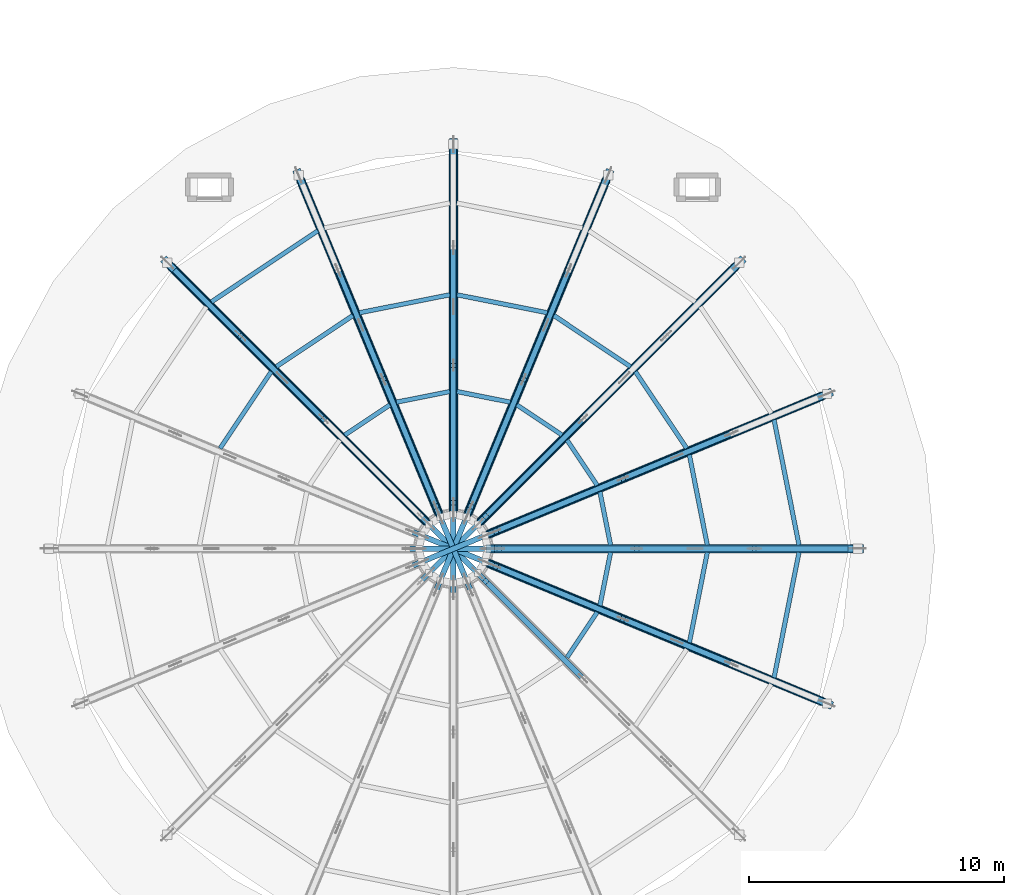
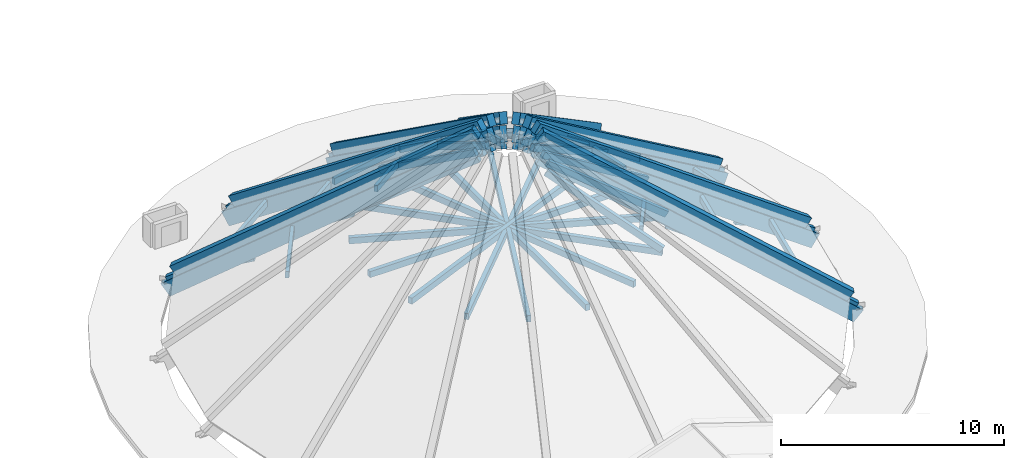
# One storey, part 11 of 58: 60 members, 8 beams.
"""IFC4 building model written with IfcOpenShell, lengths in metres."""

from ifc_helpers import new_model, si_unit, direction, frame, origin, origin_2d, place, context, subcontext, project, spatial, rectangle, extrude, material, material_profile, profile_set, type_object, element, save


model = new_model("IFC4")

# Units and contexts
model_context = context("Model", 3, precision=1e-05, world=origin(), true_north=direction((0.0, 1.0)))
body_context = subcontext(model_context, "Body", "Model", "MODEL_VIEW")
ifc_project = project(units=[si_unit("LENGTHUNIT", "METRE"), si_unit("AREAUNIT", "SQUARE_METRE"), si_unit("VOLUMEUNIT", "CUBIC_METRE"), si_unit("PLANEANGLEUNIT", "RADIAN"), si_unit("MASSUNIT", "GRAM", prefix="KILO")], contexts=[model_context])

# Site, building, storey
site_placement = place(None, origin())
site = spatial("IfcSite", under=ifc_project, at=site_placement, CompositionType="ELEMENT")
building_placement = place(site_placement, origin())
building = spatial("IfcBuilding", under=site, at=building_placement, Name="Aldenvaro Health Centre", CompositionType="ELEMENT")
storey_placement = place(building_placement, frame((0.0, 0.0, 8.75)))
storey = spatial("IfcBuildingStorey", under=building, at=storey_placement, Name="L02", CompositionType="ELEMENT", Elevation=8.75)

# Beams
ifc_material_1 = material(Name="Concrete f'c 40 MPa", Category="concrete")
ifc_material_profile_1 = material_profile(ifc_material_1, rectangle(XDim=0.35009765625, YDim=0.56005859375, at=origin_2d()), Name="RC 350x560", Category="concrete")
ifc_profile_set_1 = profile_set([ifc_material_profile_1], Name="Concrete f'c 40 MPa")
beam_type = type_object("IfcBeamType", Name="BM-RC-560E", PredefinedType="JOIST", material=ifc_profile_set_1)
beam_1_placement = place(storey_placement, frame((102.52001953125, 20.0, 1.14599609375), z_axis=(-0.812531427693, 0.0, 0.582917386094), x_axis=(0.0, -1.0, 0.0)))
element("IfcBeam", 1, at=beam_1_placement, inside=storey, type_object=beam_type, Name="Waiting Rotunda Expressed Radial Glulam Roof Rib 01", PredefinedType="JOIST", context=body_context, shape_type="SweptSolid", body=[
    extrude(rectangle(XDim=0.35009765625, YDim=0.56005859375, at=origin_2d()), origin(), (0.0, 0.0, 1.0), 17.31640625),
])
beam_2_placement = place(storey_placement, frame((101.339111328125, 25.93896484375, 1.14599609375), z_axis=(-0.750685234233, -0.310924451028, 0.582921662711), x_axis=(0.38266289091, -0.923888040793, 0.0)))
element("IfcBeam", 2, at=beam_2_placement, inside=storey, type_object=beam_type, Name="Waiting Rotunda Expressed Radial Glulam Roof Rib 02", PredefinedType="JOIST", context=body_context, shape_type="SweptSolid", body=[
    extrude(rectangle(XDim=0.35009765625, YDim=0.56005859375, at=origin_2d()), origin(), (0.0, 0.0, 1.0), 17.316162109375),
])
beam_3_placement = place(storey_placement, frame((97.97412109375, 30.97412109375, 1.14599609375), z_axis=(-0.574549975248, -0.574549975248, 0.582910500751), x_axis=(0.707106781187, -0.707106781187, 0.0)))
element("IfcBeam", 3, at=beam_3_placement, inside=storey, type_object=beam_type, Name="Waiting Rotunda Expressed Radial Glulam Roof Rib 03", PredefinedType="JOIST", context=body_context, shape_type="SweptSolid", body=[
    extrude(rectangle(XDim=0.35009765625, YDim=0.56005859375, at=origin_2d()), origin(), (0.0, 0.0, 1.0), 17.316650390625),
])
beam_4_placement = place(storey_placement, frame((92.93896484375, 34.339111328125, 1.14599609375), z_axis=(-0.310924451028, -0.750685234233, 0.582921662711), x_axis=(0.923888040793, -0.38266289091, 0.0)))
element("IfcBeam", 4, at=beam_4_placement, inside=storey, type_object=beam_type, Name="Waiting Rotunda Expressed Radial Glulam Roof Rib 04", PredefinedType="JOIST", context=body_context, shape_type="SweptSolid", body=[
    extrude(rectangle(XDim=0.35009765625, YDim=0.56005859375, at=origin_2d()), origin(), (0.0, 0.0, 1.0), 17.316162109375),
])
beam_5_placement = place(storey_placement, frame((87.0, 35.52001953125, 1.14599609375), z_axis=(0.0, -0.812531427693, 0.582917386094), x_axis=(1.0, 0.0, 0.0)))
element("IfcBeam", 5, at=beam_5_placement, inside=storey, type_object=beam_type, Name="Waiting Rotunda Expressed Radial Glulam Roof Rib 05", PredefinedType="JOIST", context=body_context, shape_type="SweptSolid", body=[
    extrude(rectangle(XDim=0.35009765625, YDim=0.56005859375, at=origin_2d()), origin(), (0.0, 0.0, 1.0), 17.31640625),
])
beam_6_placement = place(storey_placement, frame((81.06103515625, 34.339111328125, 1.14599609375), z_axis=(0.310924451028, -0.750685234233, 0.582921662711), x_axis=(0.923888040793, 0.38266289091, 0.0)))
element("IfcBeam", 6, at=beam_6_placement, inside=storey, type_object=beam_type, Name="Waiting Rotunda Expressed Radial Glulam Roof Rib 06", PredefinedType="JOIST", context=body_context, shape_type="SweptSolid", body=[
    extrude(rectangle(XDim=0.35009765625, YDim=0.56005859375, at=origin_2d()), origin(), (0.0, 0.0, 1.0), 17.316162109375),
])
beam_7_placement = place(storey_placement, frame((76.02587890625, 30.97412109375, 1.14599609375), z_axis=(0.574549975248, -0.574549975248, 0.582910500751), x_axis=(0.707106781187, 0.707106781187, 0.0)))
element("IfcBeam", 7, at=beam_7_placement, inside=storey, type_object=beam_type, Name="Waiting Rotunda Expressed Radial Glulam Roof Rib 07", PredefinedType="JOIST", context=body_context, shape_type="SweptSolid", body=[
    extrude(rectangle(XDim=0.35009765625, YDim=0.56005859375, at=origin_2d()), origin(), (0.0, 0.0, 1.0), 17.316650390625),
])
beam_8_placement = place(storey_placement, frame((101.339111328125, 14.06103515625, 1.14599609375), z_axis=(-0.750685234233, 0.310924451028, 0.582921662711), x_axis=(-0.38266289091, -0.923888040793, 0.0)))
element("IfcBeam", 8, at=beam_8_placement, inside=storey, type_object=beam_type, Name="Waiting Rotunda Expressed Radial Glulam Roof Rib 16", PredefinedType="JOIST", context=body_context, shape_type="SweptSolid", body=[
    extrude(rectangle(XDim=0.35009765625, YDim=0.56005859375, at=origin_2d()), origin(), (0.0, 0.0, 1.0), 17.316162109375),
])

# Members
ifc_material_2 = material(Name="Glulam GL28h", Category="wood")
ifc_material_profile_2 = material_profile(ifc_material_2, rectangle(XDim=0.264892578125, YDim=0.64599609375, at=origin_2d()), Name="GL 265x646", Category="wood")
ifc_profile_set_2 = profile_set([ifc_material_profile_2], Name="Glulam GL28h")
member_type_1 = type_object("IfcMemberType", Name="MEM-BC-646", PredefinedType="CHORD", material=ifc_profile_set_2)
for number, where, z_axis, x_axis, name in (
    (9, (102.719970703125, 20.0, 0.449951171875), (-0.833036468433, 0.0, 0.553218078392), (0.0, -1.0, 0.0), "Waiting Hall Roof Truss 01 Bottom Chord"),
    (10, (101.52294921875, 26.01611328125, 0.449951171875), (-0.76961034966, -0.318817225016, 0.553222818338), (0.382718454499, -0.923865025091, 0.0), "Waiting Hall Roof Truss 02 Bottom Chord"),
):
    element("IfcMember", number, at=place(storey_placement, frame(where, z_axis=z_axis, x_axis=x_axis)), inside=storey, type_object=member_type_1, Name=name, PredefinedType="CHORD", context=body_context, shape_type="SweptSolid", body=[
        extrude(rectangle(XDim=0.264892578125, YDim=0.64599609375, at=origin_2d()), origin(), (0.0, 0.0, 1.0), 17.154052734375),
    ])
member_1_placement = place(storey_placement, frame((98.115966796875, 31.115966796875, 0.449951171875), z_axis=(-0.589052817465, -0.589052817465, 0.553202997528), x_axis=(0.707106781187, -0.707106781187, 0.0)))
element("IfcMember", 11, at=member_1_placement, inside=storey, type_object=member_type_1, Name="Waiting Hall Roof Truss 03 Bottom Chord", PredefinedType="CHORD", context=body_context, shape_type="SweptSolid", body=[
    extrude(rectangle(XDim=0.264892578125, YDim=0.64599609375, at=origin_2d()), origin(), (0.0, 0.0, 1.0), 17.154541015625),
])
for number, where, z_axis, x_axis, name in (
    (12, (93.01611328125, 34.52294921875, 0.449951171875), (-0.318817225016, -0.76961034966, 0.553222818338), (0.923865025091, -0.382718454499, 0.0), "Waiting Hall Roof Truss 04 Bottom Chord"),
    (13, (87.0, 35.719970703125, 0.449951171875), (0.0, -0.833036468433, 0.553218078392), (1.0, 0.0, 0.0), "Waiting Hall Roof Truss 05 Bottom Chord"),
    (14, (80.98388671875, 34.52294921875, 0.449951171875), (0.318817225016, -0.76961034966, 0.553222818338), (0.923865025091, 0.382718454499, 0.0), "Waiting Hall Roof Truss 06 Bottom Chord"),
):
    element("IfcMember", number, at=place(storey_placement, frame(where, z_axis=z_axis, x_axis=x_axis)), inside=storey, type_object=member_type_1, Name=name, PredefinedType="CHORD", context=body_context, shape_type="SweptSolid", body=[
        extrude(rectangle(XDim=0.264892578125, YDim=0.64599609375, at=origin_2d()), origin(), (0.0, 0.0, 1.0), 17.154052734375),
    ])
member_2_placement = place(storey_placement, frame((75.884033203125, 31.115966796875, 0.449951171875), z_axis=(0.589052817465, -0.589052817465, 0.553202997528), x_axis=(0.707106781187, 0.707106781187, 0.0)))
element("IfcMember", 15, at=member_2_placement, inside=storey, type_object=member_type_1, Name="Waiting Hall Roof Truss 07 Bottom Chord", PredefinedType="CHORD", context=body_context, shape_type="SweptSolid", body=[
    extrude(rectangle(XDim=0.264892578125, YDim=0.64599609375, at=origin_2d()), origin(), (0.0, 0.0, 1.0), 17.154541015625),
])
member_3_placement = place(storey_placement, frame((101.52294921875, 13.98388671875, 0.449951171875), z_axis=(-0.76961034966, 0.318817225016, 0.553222818338), x_axis=(-0.382718454499, -0.923865025091, 0.0)))
element("IfcMember", 16, at=member_3_placement, inside=storey, type_object=member_type_1, Name="Waiting Hall Roof Truss 16 Bottom Chord", PredefinedType="CHORD", context=body_context, shape_type="SweptSolid", body=[
    extrude(rectangle(XDim=0.264892578125, YDim=0.64599609375, at=origin_2d()), origin(), (0.0, 0.0, 1.0), 17.154052734375),
])
ifc_material_profile_3 = material_profile(ifc_material_2, rectangle(XDim=0.215087890625, YDim=0.342041015625, at=origin_2d()), Name="GL 215x342", Category="wood")
ifc_profile_set_3 = profile_set([ifc_material_profile_3], Name="Glulam GL28h")
member_type_2 = type_object("IfcMemberType", Name="MEM-COL-315", PredefinedType="COLLAR", material=ifc_profile_set_3)
for number, where, z_axis, x_axis, name in (
    (17, (94.199951171875, 20.0, 6.22607421875), (-1.0, 0.0, 0.0), (0.0, -1.0, 0.0), "Waiting Hall Roof Truss 01 Collar Tie"),
    (18, (93.652099609375, 22.7548828125, 6.22607421875), (-0.923904429794, -0.382623319477, 0.0), (0.382623319477, -0.923904429794, 0.0), "Waiting Hall Roof Truss 02 Collar Tie"),
):
    element("IfcMember", number, at=place(storey_placement, frame(where, z_axis=z_axis, x_axis=x_axis)), inside=storey, type_object=member_type_2, Name=name, PredefinedType="COLLAR", context=body_context, shape_type="SweptSolid", body=[
        extrude(rectangle(XDim=0.215087890625, YDim=0.342041015625, at=origin_2d()), origin(), (0.0, 0.0, 1.0), 14.39990234375),
    ])
member_4_placement = place(storey_placement, frame((92.091064453125, 25.091064453125, 6.22607421875), z_axis=(-0.707106781187, -0.707106781187, 0.0), x_axis=(0.707106781187, -0.707106781187, 0.0)))
element("IfcMember", 19, at=member_4_placement, inside=storey, type_object=member_type_2, Name="Waiting Hall Roof Truss 03 Collar Tie", PredefinedType="COLLAR", context=body_context, shape_type="SweptSolid", body=[
    extrude(rectangle(XDim=0.215087890625, YDim=0.342041015625, at=origin_2d()), origin(), (0.0, 0.0, 1.0), 14.399658203125),
])
for number, where, z_axis, x_axis, name in (
    (20, (89.7548828125, 26.652099609375, 6.22607421875), (-0.382623319477, -0.923904429794, 0.0), (0.923904429794, -0.382623319477, 0.0), "Waiting Hall Roof Truss 04 Collar Tie"),
    (21, (87.0, 27.199951171875, 6.22607421875), (0.0, -1.0, 0.0), (1.0, 0.0, 0.0), "Waiting Hall Roof Truss 05 Collar Tie"),
    (22, (84.2451171875, 26.652099609375, 6.22607421875), (0.382623319477, -0.923904429794, 0.0), (0.923904429794, 0.382623319477, 0.0), "Waiting Hall Roof Truss 06 Collar Tie"),
):
    element("IfcMember", number, at=place(storey_placement, frame(where, z_axis=z_axis, x_axis=x_axis)), inside=storey, type_object=member_type_2, Name=name, PredefinedType="COLLAR", context=body_context, shape_type="SweptSolid", body=[
        extrude(rectangle(XDim=0.215087890625, YDim=0.342041015625, at=origin_2d()), origin(), (0.0, 0.0, 1.0), 14.39990234375),
    ])
member_5_placement = place(storey_placement, frame((81.908935546875, 25.091064453125, 6.22607421875), z_axis=(0.707106781187, -0.707106781187, 0.0), x_axis=(0.707106781187, 0.707106781187, 0.0)))
element("IfcMember", 23, at=member_5_placement, inside=storey, type_object=member_type_2, Name="Waiting Hall Roof Truss 07 Collar Tie", PredefinedType="COLLAR", context=body_context, shape_type="SweptSolid", body=[
    extrude(rectangle(XDim=0.215087890625, YDim=0.342041015625, at=origin_2d()), origin(), (0.0, 0.0, 1.0), 14.399658203125),
])
member_6_placement = place(storey_placement, frame((80.347900390625, 22.7548828125, 6.22607421875), z_axis=(0.923904429794, -0.382623319477, 0.0), x_axis=(0.382623319477, 0.923904429794, 0.0)))
element("IfcMember", 24, at=member_6_placement, inside=storey, type_object=member_type_2, Name="Waiting Hall Roof Truss 08 Collar Tie", PredefinedType="COLLAR", context=body_context, shape_type="SweptSolid", body=[
    extrude(rectangle(XDim=0.215087890625, YDim=0.342041015625, at=origin_2d()), origin(), (0.0, 0.0, 1.0), 14.39990234375),
])
ifc_material_profile_4 = material_profile(ifc_material_2, rectangle(XDim=0.175048828125, YDim=0.35009765625, at=origin_2d()), Name="GL 175x350", Category="wood")
ifc_profile_set_4 = profile_set([ifc_material_profile_4], Name="Glulam GL28h")
member_type_3 = type_object("IfcMemberType", Name="MEM-PR-350", PredefinedType="PURLIN", material=ifc_profile_set_4)
member_7_placement = place(storey_placement, frame((100.572998046875, 20.136962890625, 1.89404296875), z_axis=(-0.195153982502, 0.980772615397, 0.0), x_axis=(-0.980772615397, -0.195153982502, 0.0)))
element("IfcMember", 25, at=member_7_placement, inside=storey, type_object=member_type_3, Name="Waiting Hall Roof Purlin 1.01", PredefinedType="PURLIN", context=body_context, shape_type="SweptSolid", body=[
    extrude(rectangle(XDim=0.175048828125, YDim=0.35009765625, at=origin_2d()), origin(), (0.0, 0.0, 1.0), 5.026611328125),
])
member_8_placement = place(storey_placement, frame((81.679931640625, 32.487060546875, 1.89404296875), z_axis=(-0.831616721925, -0.555350004785, 0.0), x_axis=(0.555350004785, -0.831616721925, 0.0)))
element("IfcMember", 26, at=member_8_placement, inside=storey, type_object=member_type_3, Name="Waiting Hall Roof Purlin 1.06", PredefinedType="PURLIN", context=body_context, shape_type="SweptSolid", body=[
    extrude(rectangle(XDim=0.175048828125, YDim=0.35009765625, at=origin_2d()), origin(), (0.0, 0.0, 1.0), 5.02734375),
])
member_9_placement = place(storey_placement, frame((99.592041015625, 14.93310546875, 1.89404296875), z_axis=(0.195153982502, 0.980772615397, 0.0), x_axis=(-0.980772615397, 0.195153982502, 0.0)))
element("IfcMember", 27, at=member_9_placement, inside=storey, type_object=member_type_3, Name="Waiting Hall Roof Purlin 1.16", PredefinedType="PURLIN", context=body_context, shape_type="SweptSolid", body=[
    extrude(rectangle(XDim=0.175048828125, YDim=0.35009765625, at=origin_2d()), origin(), (0.0, 0.0, 1.0), 5.026611328125),
])
member_10_placement = place(storey_placement, frame((96.972900390625, 20.136962890625, 4.4580078125), z_axis=(-0.195105123545, 0.98078233608, 0.0), x_axis=(-0.98078233608, -0.195105123545, 0.0)))
element("IfcMember", 28, at=member_10_placement, inside=storey, type_object=member_type_3, Name="Waiting Hall Roof Purlin 2.01", PredefinedType="PURLIN", context=body_context, shape_type="SweptSolid", body=[
    extrude(rectangle(XDim=0.175048828125, YDim=0.35009765625, at=origin_2d()), origin(), (0.0, 0.0, 1.0), 3.62255859375),
])
for number, where, z_axis, x_axis, name in (
    (29, (96.160888671875, 23.943115234375, 4.4580078125), (-0.555462127667, 0.831541835825, 0.0), (-0.831541835825, -0.555462127667, 0.0), "Waiting Hall Roof Purlin 2.02"),
    (30, (93.955078125, 27.14892578125, 4.4580078125), (-0.831541835825, 0.555462127667, 0.0), (-0.555462127667, -0.831541835825, 0.0), "Waiting Hall Roof Purlin 2.03"),
):
    element("IfcMember", number, at=place(storey_placement, frame(where, z_axis=z_axis, x_axis=x_axis)), inside=storey, type_object=member_type_3, Name=name, PredefinedType="PURLIN", context=body_context, shape_type="SweptSolid", body=[
        extrude(rectangle(XDim=0.175048828125, YDim=0.35009765625, at=origin_2d()), origin(), (0.0, 0.0, 1.0), 3.6220703125),
    ])
for number, where, z_axis, x_axis, name in (
    (31, (90.68994140625, 29.26611328125, 4.4580078125), (-0.98078233608, 0.195105123545, 0.0), (-0.195105123545, -0.98078233608, 0.0), "Waiting Hall Roof Purlin 2.04"),
    (32, (86.863037109375, 29.972900390625, 4.4580078125), (-0.98078233608, -0.195105123545, 0.0), (0.195105123545, -0.98078233608, 0.0), "Waiting Hall Roof Purlin 2.05"),
):
    element("IfcMember", number, at=place(storey_placement, frame(where, z_axis=z_axis, x_axis=x_axis)), inside=storey, type_object=member_type_3, Name=name, PredefinedType="PURLIN", context=body_context, shape_type="SweptSolid", body=[
        extrude(rectangle(XDim=0.175048828125, YDim=0.35009765625, at=origin_2d()), origin(), (0.0, 0.0, 1.0), 3.62255859375),
    ])
for number, where, z_axis, x_axis, name in (
    (33, (83.056884765625, 29.160888671875, 4.4580078125), (-0.831541835825, -0.555462127667, 0.0), (0.555462127667, -0.831541835825, 0.0), "Waiting Hall Roof Purlin 2.06"),
    (34, (79.85107421875, 26.955078125, 4.4580078125), (-0.555462127667, -0.831541835825, 0.0), (0.831541835825, -0.555462127667, 0.0), "Waiting Hall Roof Purlin 2.07"),
):
    element("IfcMember", number, at=place(storey_placement, frame(where, z_axis=z_axis, x_axis=x_axis)), inside=storey, type_object=member_type_3, Name=name, PredefinedType="PURLIN", context=body_context, shape_type="SweptSolid", body=[
        extrude(rectangle(XDim=0.175048828125, YDim=0.35009765625, at=origin_2d()), origin(), (0.0, 0.0, 1.0), 3.6220703125),
    ])
member_11_placement = place(storey_placement, frame((96.26611328125, 16.31005859375, 4.4580078125), z_axis=(0.195105123545, 0.98078233608, 0.0), x_axis=(-0.98078233608, 0.195105123545, 0.0)))
element("IfcMember", 35, at=member_11_placement, inside=storey, type_object=member_type_3, Name="Waiting Hall Roof Purlin 2.16", PredefinedType="PURLIN", context=body_context, shape_type="SweptSolid", body=[
    extrude(rectangle(XDim=0.175048828125, YDim=0.35009765625, at=origin_2d()), origin(), (0.0, 0.0, 1.0), 3.62255859375),
])
member_12_placement = place(storey_placement, frame((93.173095703125, 20.136962890625, 7.1650390625), z_axis=(-0.195392211861, 0.980725182477, 0.0), x_axis=(-0.980725182477, -0.195392211861, 0.0)))
element("IfcMember", 36, at=member_12_placement, inside=storey, type_object=member_type_3, Name="Waiting Hall Roof Purlin 3.01", PredefinedType="PURLIN", context=body_context, shape_type="SweptSolid", body=[
    extrude(rectangle(XDim=0.175048828125, YDim=0.35009765625, at=origin_2d()), origin(), (0.0, 0.0, 1.0), 2.140380859375),
])
for number, where, z_axis, x_axis, name in (
    (37, (92.64990234375, 22.489013671875, 7.1650390625), (-0.555332112937, 0.831628669744, 0.0), (-0.831628669744, -0.555332112937, 0.0), "Waiting Hall Roof Purlin 3.02"),
    (38, (91.26806640625, 24.4619140625, 7.1650390625), (-0.831628669744, 0.555332112937, 0.0), (-0.555332112937, -0.831628669744, 0.0), "Waiting Hall Roof Purlin 3.03"),
):
    element("IfcMember", number, at=place(storey_placement, frame(where, z_axis=z_axis, x_axis=x_axis)), inside=storey, type_object=member_type_3, Name=name, PredefinedType="PURLIN", context=body_context, shape_type="SweptSolid", body=[
        extrude(rectangle(XDim=0.175048828125, YDim=0.35009765625, at=origin_2d()), origin(), (0.0, 0.0, 1.0), 2.13916015625),
    ])
for number, where, z_axis, x_axis, name in (
    (39, (89.236083984375, 25.7548828125, 7.1650390625), (-0.980725182477, 0.195392211861, 0.0), (-0.195392211861, -0.980725182477, 0.0), "Waiting Hall Roof Purlin 3.04"),
    (40, (86.863037109375, 26.173095703125, 7.1650390625), (-0.980725182477, -0.195392211861, 0.0), (0.195392211861, -0.980725182477, 0.0), "Waiting Hall Roof Purlin 3.05"),
):
    element("IfcMember", number, at=place(storey_placement, frame(where, z_axis=z_axis, x_axis=x_axis)), inside=storey, type_object=member_type_3, Name=name, PredefinedType="PURLIN", context=body_context, shape_type="SweptSolid", body=[
        extrude(rectangle(XDim=0.175048828125, YDim=0.35009765625, at=origin_2d()), origin(), (0.0, 0.0, 1.0), 2.140380859375),
    ])
for number, where, z_axis, x_axis, name in (
    (41, (84.510986328125, 25.64990234375, 7.1650390625), (-0.831628669744, -0.555332112937, 0.0), (0.555332112937, -0.831628669744, 0.0), "Waiting Hall Roof Purlin 3.06"),
    (42, (91.4619140625, 15.73193359375, 7.1650390625), (0.555332112937, 0.831628669744, 0.0), (-0.831628669744, 0.555332112937, 0.0), "Waiting Hall Roof Purlin 3.15"),
):
    element("IfcMember", number, at=place(storey_placement, frame(where, z_axis=z_axis, x_axis=x_axis)), inside=storey, type_object=member_type_3, Name=name, PredefinedType="PURLIN", context=body_context, shape_type="SweptSolid", body=[
        extrude(rectangle(XDim=0.175048828125, YDim=0.35009765625, at=origin_2d()), origin(), (0.0, 0.0, 1.0), 2.13916015625),
    ])
member_13_placement = place(storey_placement, frame((92.7548828125, 17.763916015625, 7.1650390625), z_axis=(0.195392211861, 0.980725182477, 0.0), x_axis=(-0.980725182477, 0.195392211861, 0.0)))
element("IfcMember", 43, at=member_13_placement, inside=storey, type_object=member_type_3, Name="Waiting Hall Roof Purlin 3.16", PredefinedType="PURLIN", context=body_context, shape_type="SweptSolid", body=[
    extrude(rectangle(XDim=0.175048828125, YDim=0.35009765625, at=origin_2d()), origin(), (0.0, 0.0, 1.0), 2.140380859375),
])
ifc_material_profile_5 = material_profile(ifc_material_2, rectangle(XDim=0.31494140625, YDim=0.760009765625, at=origin_2d()), Name="GL 315x760", Category="wood")
ifc_profile_set_5 = profile_set([ifc_material_profile_5], Name="Glulam GL28h")
member_type_4 = type_object("IfcMemberType", Name="MEM-TC-760", PredefinedType="CHORD", material=ifc_profile_set_5)
for number, where, z_axis, x_axis, name in (
    (44, (101.6708984375, 26.076904296875, 0.030029296875), (-0.7510870781, -0.311115786451, 0.582301613026), (0.3826890307, -0.923877213585, 0.0), "Waiting Hall Roof Truss 02 Top Chord"),
    (45, (93.076904296875, 34.6708984375, 0.030029296875), (-0.311115786451, -0.7510870781, 0.582301613026), (0.923877213585, -0.3826890307, 0.0), "Waiting Hall Roof Truss 04 Top Chord"),
    (46, (80.923095703125, 34.6708984375, 0.030029296875), (0.311115786451, -0.7510870781, 0.582301613026), (0.923877213585, 0.3826890307, 0.0), "Waiting Hall Roof Truss 06 Top Chord"),
    (47, (101.6708984375, 13.923095703125, 0.030029296875), (-0.7510870781, 0.311115786451, 0.582301613026), (-0.3826890307, -0.923877213585, 0.0), "Waiting Hall Roof Truss 16 Top Chord"),
):
    element("IfcMember", number, at=place(storey_placement, frame(where, z_axis=z_axis, x_axis=x_axis)), inside=storey, type_object=member_type_4, Name=name, PredefinedType="CHORD", context=body_context, shape_type="SweptSolid", body=[
        extrude(rectangle(XDim=0.31494140625, YDim=0.760009765625, at=origin_2d()), origin(), (0.0, 0.0, 1.0), 17.77392578125),
    ])
ifc_material_profile_6 = material_profile(ifc_material_2, rectangle(XDim=0.31494140625, YDim=0.760009765625, at=origin_2d()), Name="GL 315x760", Category="wood")
ifc_profile_set_6 = profile_set([ifc_material_profile_6], Name="Glulam GL28h")
member_type_5 = type_object("IfcMemberType", Name="MEM-TC-760E", PredefinedType="CHORD", material=ifc_profile_set_6)
member_14_placement = place(storey_placement, frame((102.8798828125, 20.0, 0.030029296875), z_axis=(-0.812975460265, 0.0, 0.582297948654), x_axis=(0.0, -1.0, 0.0)))
element("IfcMember", 48, at=member_14_placement, inside=storey, type_object=member_type_5, Name="Waiting Hall Roof Truss 01 Top Chord", PredefinedType="CHORD", context=body_context, shape_type="SweptSolid", body=[
    extrude(rectangle(XDim=0.31494140625, YDim=0.760009765625, at=origin_2d()), origin(), (0.0, 0.0, 1.0), 17.774169921875),
])
member_15_placement = place(storey_placement, frame((98.22900390625, 31.22900390625, 0.030029296875), z_axis=(-0.574867311388, -0.574867311388, 0.582284422423), x_axis=(0.707106781187, -0.707106781187, 0.0)))
element("IfcMember", 49, at=member_15_placement, inside=storey, type_object=member_type_5, Name="Waiting Hall Roof Truss 03 Top Chord", PredefinedType="CHORD", context=body_context, shape_type="SweptSolid", body=[
    extrude(rectangle(XDim=0.31494140625, YDim=0.760009765625, at=origin_2d()), origin(), (0.0, 0.0, 1.0), 17.774658203125),
])
member_16_placement = place(storey_placement, frame((87.0, 35.8798828125, 0.030029296875), z_axis=(0.0, -0.812975460265, 0.582297948654), x_axis=(1.0, 0.0, 0.0)))
element("IfcMember", 50, at=member_16_placement, inside=storey, type_object=member_type_5, Name="Waiting Hall Roof Truss 05 Top Chord", PredefinedType="CHORD", context=body_context, shape_type="SweptSolid", body=[
    extrude(rectangle(XDim=0.31494140625, YDim=0.760009765625, at=origin_2d()), origin(), (0.0, 0.0, 1.0), 17.774169921875),
])
member_17_placement = place(storey_placement, frame((75.77099609375, 31.22900390625, 0.030029296875), z_axis=(0.574867311388, -0.574867311388, 0.582284422423), x_axis=(0.707106781187, 0.707106781187, 0.0)))
element("IfcMember", 51, at=member_17_placement, inside=storey, type_object=member_type_5, Name="Waiting Hall Roof Truss 07 Top Chord", PredefinedType="CHORD", context=body_context, shape_type="SweptSolid", body=[
    extrude(rectangle(XDim=0.31494140625, YDim=0.760009765625, at=origin_2d()), origin(), (0.0, 0.0, 1.0), 17.774658203125),
])
ifc_material_profile_7 = material_profile(ifc_material_2, rectangle(XDim=0.215087890625, YDim=0.342041015625, at=origin_2d()), Name="GL 215x342", Category="wood")
ifc_profile_set_7 = profile_set([ifc_material_profile_7], Name="Glulam GL28h")
member_type_6 = type_object("IfcMemberType", Name="MEM-WD-342", PredefinedType="USERDEFINED", material=ifc_profile_set_7)
member_18_placement = place(storey_placement, frame((102.429931640625, 20.0, 0.98388671875), z_axis=(-0.923626715127, 0.0, 0.383293218181), x_axis=(0.0, -1.0, 0.0)))
element("IfcMember", 52, at=member_18_placement, inside=storey, type_object=member_type_6, Name="Waiting Hall Roof Truss 01 Web Diagonal 1", ObjectType="DIAGONAL", PredefinedType="USERDEFINED", context=body_context, shape_type="SweptSolid", body=[
    extrude(rectangle(XDim=0.215087890625, YDim=0.342041015625, at=origin_2d()), origin(), (0.0, 0.0, 1.0), 3.908447265625),
])
member_19_placement = place(storey_placement, frame((98.820068359375, 20.0, 3.342041015625), z_axis=(-0.884976037482, 0.0, 0.465636567597), x_axis=(0.0, -1.0, 0.0)))
element("IfcMember", 53, at=member_19_placement, inside=storey, type_object=member_type_6, Name="Waiting Hall Roof Truss 01 Web Diagonal 2", ObjectType="DIAGONAL", PredefinedType="USERDEFINED", context=body_context, shape_type="SweptSolid", body=[
    extrude(rectangle(XDim=0.215087890625, YDim=0.342041015625, at=origin_2d()), origin(), (0.0, 0.0, 1.0), 5.220703125),
])
member_20_placement = place(storey_placement, frame((94.199951171875, 20.0, 6.35888671875), z_axis=(-0.856086094507, 0.0, 0.516833240797), x_axis=(0.0, -1.0, 0.0)))
element("IfcMember", 54, at=member_20_placement, inside=storey, type_object=member_type_6, Name="Waiting Hall Roof Truss 01 Web Diagonal 3", ObjectType="DIAGONAL", PredefinedType="USERDEFINED", context=body_context, shape_type="SweptSolid", body=[
    extrude(rectangle(XDim=0.215087890625, YDim=0.342041015625, at=origin_2d()), origin(), (0.0, 0.0, 1.0), 6.3076171875),
])
member_21_placement = place(storey_placement, frame((97.919921875, 24.52294921875, 3.342041015625), z_axis=(-0.817571263767, -0.338702081815, 0.465680285643), x_axis=(0.382734528251, -0.923858366247, 0.0)))
element("IfcMember", 55, at=member_21_placement, inside=storey, type_object=member_type_6, Name="Waiting Hall Roof Truss 02 Web Diagonal 2", ObjectType="DIAGONAL", PredefinedType="USERDEFINED", context=body_context, shape_type="SweptSolid", body=[
    extrude(rectangle(XDim=0.215087890625, YDim=0.342041015625, at=origin_2d()), origin(), (0.0, 0.0, 1.0), 5.22021484375),
])
member_22_placement = place(storey_placement, frame((93.652099609375, 22.7548828125, 6.35888671875), z_axis=(-0.790951570173, -0.327527877994, 0.516837598068), x_axis=(0.382588721535, -0.923918757334, 0.0)))
element("IfcMember", 56, at=member_22_placement, inside=storey, type_object=member_type_6, Name="Waiting Hall Roof Truss 02 Web Diagonal 3", ObjectType="DIAGONAL", PredefinedType="USERDEFINED", context=body_context, shape_type="SweptSolid", body=[
    extrude(rectangle(XDim=0.215087890625, YDim=0.342041015625, at=origin_2d()), origin(), (0.0, 0.0, 1.0), 6.3076171875),
])
member_23_placement = place(storey_placement, frame((92.091064453125, 25.091064453125, 6.35888671875), z_axis=(-0.605336137445, -0.605336137445, 0.516852320692), x_axis=(0.707106781187, -0.707106781187, 0.0)))
element("IfcMember", 57, at=member_23_placement, inside=storey, type_object=member_type_6, Name="Waiting Hall Roof Truss 03 Web Diagonal 3", ObjectType="DIAGONAL", PredefinedType="USERDEFINED", context=body_context, shape_type="SweptSolid", body=[
    extrude(rectangle(XDim=0.215087890625, YDim=0.342041015625, at=origin_2d()), origin(), (0.0, 0.0, 1.0), 6.307373046875),
])
member_24_placement = place(storey_placement, frame((91.52294921875, 30.919921875, 3.342041015625), z_axis=(-0.338702081815, -0.817571263767, 0.465680285643), x_axis=(0.923858366247, -0.382734528251, 0.0)))
element("IfcMember", 58, at=member_24_placement, inside=storey, type_object=member_type_6, Name="Waiting Hall Roof Truss 04 Web Diagonal 2", ObjectType="DIAGONAL", PredefinedType="USERDEFINED", context=body_context, shape_type="SweptSolid", body=[
    extrude(rectangle(XDim=0.215087890625, YDim=0.342041015625, at=origin_2d()), origin(), (0.0, 0.0, 1.0), 5.22021484375),
])
member_25_placement = place(storey_placement, frame((89.7548828125, 26.652099609375, 6.35888671875), z_axis=(-0.327527877994, -0.790951570173, 0.516837598068), x_axis=(0.923918757334, -0.382588721535, 0.0)))
element("IfcMember", 59, at=member_25_placement, inside=storey, type_object=member_type_6, Name="Waiting Hall Roof Truss 04 Web Diagonal 3", ObjectType="DIAGONAL", PredefinedType="USERDEFINED", context=body_context, shape_type="SweptSolid", body=[
    extrude(rectangle(XDim=0.215087890625, YDim=0.342041015625, at=origin_2d()), origin(), (0.0, 0.0, 1.0), 6.3076171875),
])
member_26_placement = place(storey_placement, frame((87.0, 31.820068359375, 3.342041015625), z_axis=(0.0, -0.884976037482, 0.465636567597), x_axis=(1.0, 0.0, 0.0)))
element("IfcMember", 60, at=member_26_placement, inside=storey, type_object=member_type_6, Name="Waiting Hall Roof Truss 05 Web Diagonal 2", ObjectType="DIAGONAL", PredefinedType="USERDEFINED", context=body_context, shape_type="SweptSolid", body=[
    extrude(rectangle(XDim=0.215087890625, YDim=0.342041015625, at=origin_2d()), origin(), (0.0, 0.0, 1.0), 5.220703125),
])
member_27_placement = place(storey_placement, frame((87.0, 27.199951171875, 6.35888671875), z_axis=(0.0, -0.856086094507, 0.516833240797), x_axis=(1.0, 0.0, 0.0)))
element("IfcMember", 61, at=member_27_placement, inside=storey, type_object=member_type_6, Name="Waiting Hall Roof Truss 05 Web Diagonal 3", ObjectType="DIAGONAL", PredefinedType="USERDEFINED", context=body_context, shape_type="SweptSolid", body=[
    extrude(rectangle(XDim=0.215087890625, YDim=0.342041015625, at=origin_2d()), origin(), (0.0, 0.0, 1.0), 6.3076171875),
])
member_28_placement = place(storey_placement, frame((82.47705078125, 30.919921875, 3.342041015625), z_axis=(0.338702081815, -0.817571263767, 0.465680285643), x_axis=(0.923858366247, 0.382734528251, 0.0)))
element("IfcMember", 62, at=member_28_placement, inside=storey, type_object=member_type_6, Name="Waiting Hall Roof Truss 06 Web Diagonal 2", ObjectType="DIAGONAL", PredefinedType="USERDEFINED", context=body_context, shape_type="SweptSolid", body=[
    extrude(rectangle(XDim=0.215087890625, YDim=0.342041015625, at=origin_2d()), origin(), (0.0, 0.0, 1.0), 5.22021484375),
])
member_29_placement = place(storey_placement, frame((84.2451171875, 26.652099609375, 6.35888671875), z_axis=(0.327527877994, -0.790951570173, 0.516837598068), x_axis=(0.923918757334, 0.382588721535, 0.0)))
element("IfcMember", 63, at=member_29_placement, inside=storey, type_object=member_type_6, Name="Waiting Hall Roof Truss 06 Web Diagonal 3", ObjectType="DIAGONAL", PredefinedType="USERDEFINED", context=body_context, shape_type="SweptSolid", body=[
    extrude(rectangle(XDim=0.215087890625, YDim=0.342041015625, at=origin_2d()), origin(), (0.0, 0.0, 1.0), 6.3076171875),
])
member_30_placement = place(storey_placement, frame((76.089111328125, 30.910888671875, 0.98388671875), z_axis=(0.653118486986, -0.653118486986, 0.38323946028), x_axis=(0.707106781187, 0.707106781187, 0.0)))
element("IfcMember", 64, at=member_30_placement, inside=storey, type_object=member_type_6, Name="Waiting Hall Roof Truss 07 Web Diagonal 1", ObjectType="DIAGONAL", PredefinedType="USERDEFINED", context=body_context, shape_type="SweptSolid", body=[
    extrude(rectangle(XDim=0.215087890625, YDim=0.342041015625, at=origin_2d()), origin(), (0.0, 0.0, 1.0), 3.908935546875),
])
member_31_placement = place(storey_placement, frame((78.64208984375, 28.35791015625, 3.342041015625), z_axis=(0.625769629693, -0.625769629693, 0.465644436354), x_axis=(0.707106781187, 0.707106781187, 0.0)))
element("IfcMember", 65, at=member_31_placement, inside=storey, type_object=member_type_6, Name="Waiting Hall Roof Truss 07 Web Diagonal 2", ObjectType="DIAGONAL", PredefinedType="USERDEFINED", context=body_context, shape_type="SweptSolid", body=[
    extrude(rectangle(XDim=0.215087890625, YDim=0.342041015625, at=origin_2d()), origin(), (0.0, 0.0, 1.0), 5.220458984375),
])
member_32_placement = place(storey_placement, frame((92.091064453125, 14.908935546875, 6.35888671875), z_axis=(-0.605336137445, 0.605336137445, 0.516852320692), x_axis=(-0.707106781187, -0.707106781187, 0.0)))
element("IfcMember", 66, at=member_32_placement, inside=storey, type_object=member_type_6, Name="Waiting Hall Roof Truss 15 Web Diagonal 3", ObjectType="DIAGONAL", PredefinedType="USERDEFINED", context=body_context, shape_type="SweptSolid", body=[
    extrude(rectangle(XDim=0.215087890625, YDim=0.342041015625, at=origin_2d()), origin(), (0.0, 0.0, 1.0), 6.307373046875),
])
member_33_placement = place(storey_placement, frame((97.919921875, 15.47705078125, 3.342041015625), z_axis=(-0.817571263767, 0.338702081815, 0.465680285643), x_axis=(-0.382734528251, -0.923858366247, 0.0)))
element("IfcMember", 67, at=member_33_placement, inside=storey, type_object=member_type_6, Name="Waiting Hall Roof Truss 16 Web Diagonal 2", ObjectType="DIAGONAL", PredefinedType="USERDEFINED", context=body_context, shape_type="SweptSolid", body=[
    extrude(rectangle(XDim=0.215087890625, YDim=0.342041015625, at=origin_2d()), origin(), (0.0, 0.0, 1.0), 5.22021484375),
])
member_34_placement = place(storey_placement, frame((93.652099609375, 17.2451171875, 6.35888671875), z_axis=(-0.790951570173, 0.327527877994, 0.516837598068), x_axis=(-0.382588721535, -0.923918757334, 0.0)))
element("IfcMember", 68, at=member_34_placement, inside=storey, type_object=member_type_6, Name="Waiting Hall Roof Truss 16 Web Diagonal 3", ObjectType="DIAGONAL", PredefinedType="USERDEFINED", context=body_context, shape_type="SweptSolid", body=[
    extrude(rectangle(XDim=0.215087890625, YDim=0.342041015625, at=origin_2d()), origin(), (0.0, 0.0, 1.0), 6.3076171875),
])

save(model, "model.ifc")
